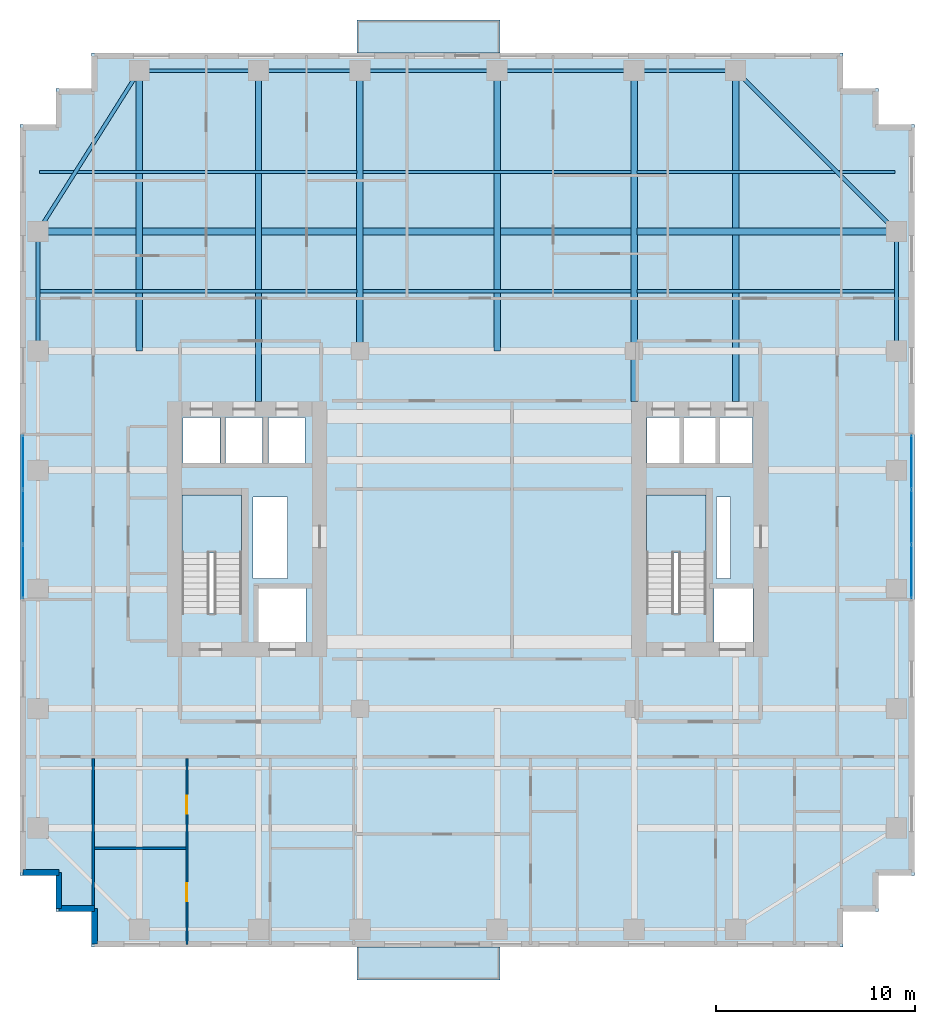
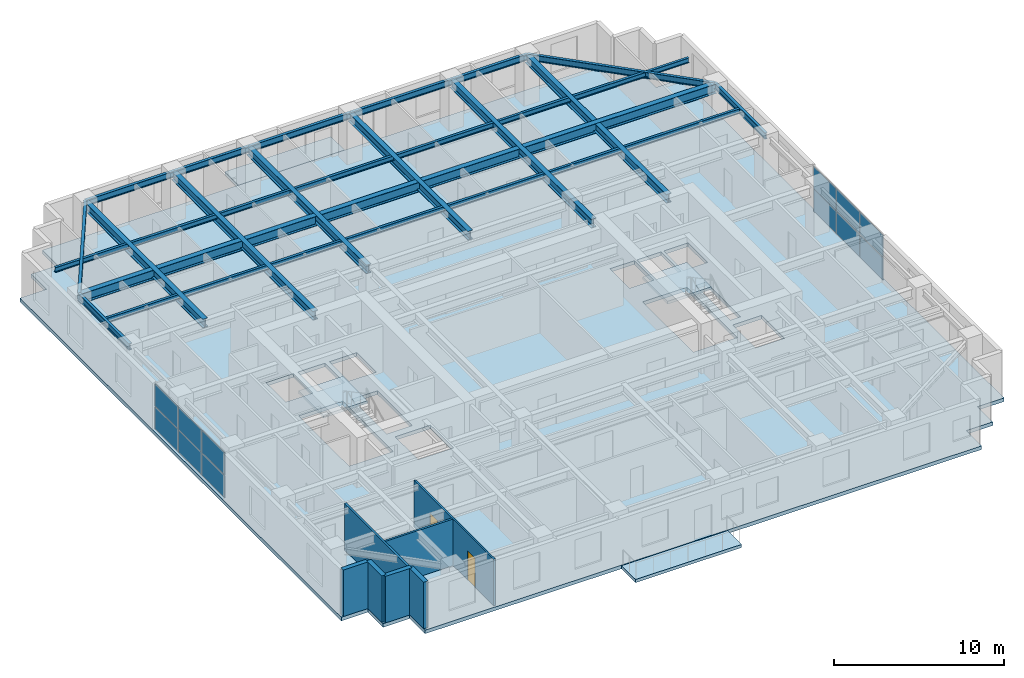
# One storey, part 6 of 13: 24 beams, 12 plates, 7 walls, 5 slabs, 2 doors, 2 openings, 4 elements without a shape of their own.
"""IFC4 building model written with IfcOpenShell, lengths in metres."""

from ifc_helpers import new_model, si_unit, direction, frame, frame_2d, origin, origin_2d, place, context, subcontext, project, spatial, polyline, rectangle, i_section, outline, extrude, source, transform, mapped, material, layer, layer_set, material_profile, profile_set, type_object, element, fill, aggregate, save


model = new_model("IFC4")

# Units and contexts
model_context = context("Model", 3, precision=1e-05, world=origin(), true_north=direction((0.0, 1.0)))
body_context = subcontext(model_context, "Body", "Model", "MODEL_VIEW")
ifc_project = project(units=[si_unit("LENGTHUNIT", "METRE"), si_unit("AREAUNIT", "SQUARE_METRE"), si_unit("VOLUMEUNIT", "CUBIC_METRE"), si_unit("PLANEANGLEUNIT", "RADIAN"), si_unit("MASSUNIT", "GRAM", prefix="KILO")], contexts=[model_context])

# Site, building, storey
site_placement = place(None, origin())
site = spatial("IfcSite", under=ifc_project, at=site_placement, CompositionType="ELEMENT")
building_placement = place(site_placement, origin())
building = spatial("IfcBuilding", under=site, at=building_placement, Name="Khoralis Quay Care Tower", CompositionType="ELEMENT")
storey_placement = place(building_placement, frame((0.0, 0.0, 87.300048828125)))
storey = spatial("IfcBuildingStorey", under=building, at=storey_placement, Name="L22", CompositionType="ELEMENT", Elevation=87.300048828125)

# Beams
ifc_material_1 = material(Name="Steel S355", Category="steel")
ifc_material_profile_1 = material_profile(ifc_material_1, i_section(OverallWidth=0.18994140625, OverallDepth=0.449951171875, WebThickness=0.009521484375, FlangeThickness=0.0146484375, FilletRadius=0.02099609375, at=origin_2d()), Name="Steel S355")
ifc_profile_set_1 = profile_set([ifc_material_profile_1], Name="Steel S355")
beam_type_1 = type_object("IfcBeamType", Name="BM-IPE450", PredefinedType="SPANDREL", material=ifc_profile_set_1)
shared_shape_1 = source(origin(), body_context, "Body", "SweptSolid", [
    extrude(i_section(OverallWidth=0.18994140625, OverallDepth=0.449951171875, WebThickness=0.009521484375, FlangeThickness=0.0146484375, FilletRadius=0.02099609375, at=origin_2d()), origin(), (0.0, 0.0, 1.0), 6.0),
])
for number, where, z_axis, x_axis, name in (
    (1, (6.0, 44.10009765625, 3.114990234375), (1.0, 0.0, 0.0), (0.0, 1.0, 0.0), "BM-TSP-L22-06"),
    (2, (0.89990234375, 30.0, 3.114990234375), (0.0, 1.0, 0.0), (-1.0, 0.0, 0.0), "BM-TSP-L22-15"),
    (3, (44.10009765625, 30.0, 3.114990234375), (0.0, 1.0, 0.0), (-1.0, 0.0, 0.0), "BM-TSP-L22-20"),
):
    element("IfcBeam", number, at=place(storey_placement, frame(where, z_axis=z_axis, x_axis=x_axis)), inside=storey, type_object=beam_type_1, Name=name, PredefinedType="SPANDREL", context=body_context, shape_type="MappedRepresentation", body=[
        mapped(shared_shape_1, transform((0.0, 0.0, 0.0), scale=1.0)),
    ])
shared_shape_2 = source(origin(), body_context, "Body", "SweptSolid", [
    extrude(i_section(OverallWidth=0.18994140625, OverallDepth=0.449951171875, WebThickness=0.009521484375, FlangeThickness=0.0146484375, FilletRadius=0.02099609375, at=origin_2d()), origin(), (0.0, 0.0, 1.0), 5.10009765625),
])
for number, where, z_axis, x_axis, name in (
    (4, (12.0, 44.10009765625, 3.114990234375), (1.0, 0.0, 0.0), (0.0, 1.0, 0.0), "BM-TSP-L22-07"),
    (5, (30.89990234375, 44.10009765625, 3.114990234375), (1.0, 0.0, 0.0), (0.0, 1.0, 0.0), "BM-TSP-L22-10"),
):
    element("IfcBeam", number, at=place(storey_placement, frame(where, z_axis=z_axis, x_axis=x_axis)), inside=storey, type_object=beam_type_1, Name=name, PredefinedType="SPANDREL", context=body_context, shape_type="MappedRepresentation", body=[
        mapped(shared_shape_2, transform((0.0, 0.0, 0.0), scale=1.0)),
    ])
shared_shape_3 = source(origin(), body_context, "Body", "SweptSolid", [
    extrude(i_section(OverallWidth=0.18994140625, OverallDepth=0.449951171875, WebThickness=0.009521484375, FlangeThickness=0.0146484375, FilletRadius=0.02099609375, at=origin_2d()), origin(), (0.0, 0.0, 1.0), 6.89990234375),
])
for number, where, z_axis, x_axis, name in (
    (6, (17.10009765625, 44.10009765625, 3.114990234375), (1.0, 0.0, 0.0), (0.0, 1.0, 0.0), "BM-TSP-L22-08"),
    (7, (24.0, 44.10009765625, 3.114990234375), (1.0, 0.0, 0.0), (0.0, 1.0, 0.0), "BM-TSP-L22-09"),
):
    element("IfcBeam", number, at=place(storey_placement, frame(where, z_axis=z_axis, x_axis=x_axis)), inside=storey, type_object=beam_type_1, Name=name, PredefinedType="SPANDREL", context=body_context, shape_type="MappedRepresentation", body=[
        mapped(shared_shape_3, transform((0.0, 0.0, 0.0), scale=1.0)),
    ])
ifc_material_profile_2 = material_profile(ifc_material_1, i_section(OverallWidth=0.35498046875, OverallDepth=0.695068359375, WebThickness=0.015380859375, FlangeThickness=0.02490234375, FilletRadius=0.02001953125, at=origin_2d()), Name="Steel S355")
ifc_profile_set_2 = profile_set([ifc_material_profile_2], Name="Steel S355")
beam_type_2 = type_object("IfcBeamType", Name="BM-W690X217", PredefinedType="BEAM", material=ifc_profile_set_2)
shared_shape_4 = source(origin(), body_context, "Body", "SweptSolid", [
    extrude(i_section(OverallWidth=0.35498046875, OverallDepth=0.695068359375, WebThickness=0.015380859375, FlangeThickness=0.02490234375, FilletRadius=0.02001953125, at=origin_2d()), origin(), (0.0, 0.0, 1.0), 16.049560546875),
])
beam_1_placement = place(storey_placement, frame((0.89990234375, 36.0, 2.992431640625), z_axis=(1.0, 0.0, 0.0), x_axis=(0.0, 1.0, 0.0)))
element("IfcBeam", 8, at=beam_1_placement, inside=storey, type_object=beam_type_2, Name="BM-TGXW-L22-360", PredefinedType="BEAM", context=body_context, shape_type="MappedRepresentation", body=[
    mapped(shared_shape_4, transform((0.0, 0.0, 0.0), scale=1.0)),
])
shared_shape_5 = source(origin(), body_context, "Body", "SweptSolid", [
    extrude(i_section(OverallWidth=0.35498046875, OverallDepth=0.695068359375, WebThickness=0.015380859375, FlangeThickness=0.02490234375, FilletRadius=0.02001953125, at=origin_2d()), origin(), (0.0, 0.0, 1.0), 13.4990234375),
])
beam_2_placement = place(storey_placement, frame((17.25048828125, 36.0, 2.992431640625), z_axis=(1.0, 0.0, 0.0), x_axis=(0.0, 1.0, 0.0)))
element("IfcBeam", 9, at=beam_2_placement, inside=storey, type_object=beam_type_2, Name="BM-TGCC-L22-360", PredefinedType="BEAM", context=body_context, shape_type="MappedRepresentation", body=[
    mapped(shared_shape_5, transform((0.0, 0.0, 0.0), scale=1.0)),
])
ifc_material_profile_3 = material_profile(ifc_material_1, i_section(OverallWidth=0.1708984375, OverallDepth=0.35498046875, WebThickness=0.007080078125, FlangeThickness=0.01171875, FilletRadius=0.012939453125, at=origin_2d()), Name="Steel S355")
ifc_profile_set_3 = profile_set([ifc_material_profile_3], Name="Steel S355")
beam_type_3 = type_object("IfcBeamType", Name="BM-W360X51", PredefinedType="JOIST", material=ifc_profile_set_3)
shared_shape_6 = source(origin(), body_context, "Body", "SweptSolid", [
    extrude(i_section(OverallWidth=0.1708984375, OverallDepth=0.35498046875, WebThickness=0.007080078125, FlangeThickness=0.01171875, FilletRadius=0.012939453125, at=origin_2d()), origin(), (0.0, 0.0, 1.0), 15.968505859375),
])
for number, where, z_axis, x_axis, name in (
    (10, (0.98095703125, 33.0, 3.162353515625), (1.0, 0.0, 0.0), (0.0, 1.0, 0.0), "BM-TJS-L22-28"),
    (11, (0.98095703125, 39.0, 3.162353515625), (1.0, 0.0, 0.0), (0.0, 1.0, 0.0), "BM-TJS-L22-31"),
):
    element("IfcBeam", number, at=place(storey_placement, frame(where, z_axis=z_axis, x_axis=x_axis)), inside=storey, type_object=beam_type_3, Name=name, PredefinedType="JOIST", context=body_context, shape_type="MappedRepresentation", body=[
        mapped(shared_shape_6, transform((0.0, 0.0, 0.0), scale=1.0)),
    ])
shared_shape_7 = source(origin(), body_context, "Body", "SweptSolid", [
    extrude(i_section(OverallWidth=0.1708984375, OverallDepth=0.35498046875, WebThickness=0.007080078125, FlangeThickness=0.01171875, FilletRadius=0.012939453125, at=origin_2d()), origin(), (0.0, 0.0, 1.0), 13.4990234375),
])
for number, where, z_axis, x_axis, name in (
    (12, (17.25048828125, 33.0, 3.162353515625), (1.0, 0.0, 0.0), (0.0, 1.0, 0.0), "BM-TJS-L22-30"),
    (13, (17.25048828125, 39.0, 3.162353515625), (1.0, 0.0, 0.0), (0.0, 1.0, 0.0), "BM-TJS-L22-33"),
):
    element("IfcBeam", number, at=place(storey_placement, frame(where, z_axis=z_axis, x_axis=x_axis)), inside=storey, type_object=beam_type_3, Name=name, PredefinedType="JOIST", context=body_context, shape_type="MappedRepresentation", body=[
        mapped(shared_shape_7, transform((0.0, 0.0, 0.0), scale=1.0)),
    ])
shared_shape_8 = source(origin(), body_context, "Body", "SweptSolid", [
    extrude(i_section(OverallWidth=0.18994140625, OverallDepth=0.449951171875, WebThickness=0.009521484375, FlangeThickness=0.0146484375, FilletRadius=0.02099609375, at=origin_2d()), origin(), (0.0, 0.0, 1.0), 9.572021484375),
])
beam_3_placement = place(storey_placement, frame((6.0, 44.10009765625, 3.114990234375), z_axis=(-0.532815975602, -0.846231136359, 0.0), x_axis=(0.846231136359, -0.532815975602, 0.0)))
element("IfcBeam", 14, at=beam_3_placement, inside=storey, type_object=beam_type_1, Name="BM-TCR-L22-23", PredefinedType="SPANDREL", context=body_context, shape_type="MappedRepresentation", body=[
    mapped(shared_shape_8, transform((0.0, 0.0, 0.0), scale=1.0)),
])
shared_shape_9 = source(origin(), body_context, "Body", "SweptSolid", [
    extrude(i_section(OverallWidth=0.18994140625, OverallDepth=0.449951171875, WebThickness=0.009521484375, FlangeThickness=0.0146484375, FilletRadius=0.02099609375, at=origin_2d()), origin(), (0.0, 0.0, 1.0), 11.455322265625),
])
beam_4_placement = place(storey_placement, frame((36.0, 44.10009765625, 3.114990234375), z_axis=(0.707106781187, -0.707106781187, 0.0), x_axis=(0.707106781187, 0.707106781187, 0.0)))
element("IfcBeam", 15, at=beam_4_placement, inside=storey, type_object=beam_type_1, Name="BM-TCR-L22-24", PredefinedType="SPANDREL", context=body_context, shape_type="MappedRepresentation", body=[
    mapped(shared_shape_9, transform((0.0, 0.0, 0.0), scale=1.0)),
])
shared_shape_10 = source(origin(), body_context, "Body", "SweptSolid", [
    extrude(i_section(OverallWidth=0.35498046875, OverallDepth=0.695068359375, WebThickness=0.015380859375, FlangeThickness=0.02490234375, FilletRadius=0.02001953125, at=origin_2d()), origin(), (0.0, 0.0, 1.0), 13.049560546875),
])
beam_5_placement = place(storey_placement, frame((31.050537109375, 36.0, 2.992431640625), z_axis=(1.0, 0.0, 0.0), x_axis=(0.0, 1.0, 0.0)))
element("IfcBeam", 16, at=beam_5_placement, inside=storey, type_object=beam_type_2, Name="BM-TGXE-L22-360", PredefinedType="BEAM", context=body_context, shape_type="MappedRepresentation", body=[
    mapped(shared_shape_10, transform((0.0, 0.0, 0.0), scale=1.0)),
])
ifc_material_profile_4 = material_profile(ifc_material_1, i_section(OverallWidth=0.324951171875, OverallDepth=0.615966796875, WebThickness=0.013916015625, FlangeThickness=0.021484375, FilletRadius=0.01806640625, at=origin_2d()), Name="Steel S355")
ifc_profile_set_4 = profile_set([ifc_material_profile_4], Name="Steel S355")
beam_type_4 = type_object("IfcBeamType", Name="BM-W610X174", PredefinedType="BEAM", material=ifc_profile_set_4)
shared_shape_11 = source(origin(), body_context, "Body", "SweptSolid", [
    extrude(i_section(OverallWidth=0.324951171875, OverallDepth=0.615966796875, WebThickness=0.013916015625, FlangeThickness=0.021484375, FilletRadius=0.01806640625, at=origin_2d()), origin(), (0.0, 0.0, 1.0), 14.10009765625),
])
for number, where, z_axis, x_axis, name in (
    (17, (6.0, 30.0, 3.031982421875), (0.0, 1.0, 0.0), (-1.0, 0.0, 0.0), "BM-TGYN-L22-60"),
    (18, (17.10009765625, 30.0, 3.031982421875), (0.0, 1.0, 0.0), (-1.0, 0.0, 0.0), "BM-TGYN-L22-171"),
    (19, (24.0, 30.0, 3.031982421875), (0.0, 1.0, 0.0), (-1.0, 0.0, 0.0), "BM-TGYN-L22-240"),
):
    element("IfcBeam", number, at=place(storey_placement, frame(where, z_axis=z_axis, x_axis=x_axis)), inside=storey, type_object=beam_type_4, Name=name, PredefinedType="BEAM", context=body_context, shape_type="MappedRepresentation", body=[
        mapped(shared_shape_11, transform((0.0, 0.0, 0.0), scale=1.0)),
    ])
shared_shape_12 = source(origin(), body_context, "Body", "SweptSolid", [
    extrude(i_section(OverallWidth=0.324951171875, OverallDepth=0.615966796875, WebThickness=0.013916015625, FlangeThickness=0.021484375, FilletRadius=0.01806640625, at=origin_2d()), origin(), (0.0, 0.0, 1.0), 16.652099609375),
])
for number, where, z_axis, x_axis, name in (
    (20, (12.0, 27.447998046875, 3.031982421875), (0.0, 1.0, 0.0), (-1.0, 0.0, 0.0), "BM-TGYN-L22-120"),
    (21, (30.89990234375, 27.447998046875, 3.031982421875), (0.0, 1.0, 0.0), (-1.0, 0.0, 0.0), "BM-TGYN-L22-309"),
    (22, (36.0, 27.447998046875, 3.031982421875), (0.0, 1.0, 0.0), (-1.0, 0.0, 0.0), "BM-TGYN-L22-360"),
):
    element("IfcBeam", number, at=place(storey_placement, frame(where, z_axis=z_axis, x_axis=x_axis)), inside=storey, type_object=beam_type_4, Name=name, PredefinedType="BEAM", context=body_context, shape_type="MappedRepresentation", body=[
        mapped(shared_shape_12, transform((0.0, 0.0, 0.0), scale=1.0)),
    ])
shared_shape_13 = source(origin(), body_context, "Body", "SweptSolid", [
    extrude(i_section(OverallWidth=0.1708984375, OverallDepth=0.35498046875, WebThickness=0.007080078125, FlangeThickness=0.01171875, FilletRadius=0.012939453125, at=origin_2d()), origin(), (0.0, 0.0, 1.0), 12.968505859375),
])
for number, where, z_axis, x_axis, name in (
    (23, (31.050537109375, 33.0, 3.162353515625), (1.0, 0.0, 0.0), (0.0, 1.0, 0.0), "BM-TJS-L22-29"),
    (24, (31.050537109375, 39.0, 3.162353515625), (1.0, 0.0, 0.0), (0.0, 1.0, 0.0), "BM-TJS-L22-32"),
):
    element("IfcBeam", number, at=place(storey_placement, frame(where, z_axis=z_axis, x_axis=x_axis)), inside=storey, type_object=beam_type_3, Name=name, PredefinedType="JOIST", context=body_context, shape_type="MappedRepresentation", body=[
        mapped(shared_shape_13, transform((0.0, 0.0, 0.0), scale=1.0)),
    ])

# Slabs
ifc_material_2 = material(Name="Concrete C45/55", Category="concrete")
ifc_layer_1 = layer(ifc_material_2, 0.219970703125)
ifc_layer_set_1 = layer_set([ifc_layer_1], Name="Concrete C45/55")
slab_type_1 = type_object("IfcSlabType", Name="SLB-EXT-BALC-220", PredefinedType="FLOOR", material=ifc_layer_set_1)
slab_1_placement = place(storey_placement, frame((0.0, 0.0, -0.260009765625)))
element("IfcSlab", 25, at=slab_1_placement, inside=storey, type_object=slab_type_1, Name="L22 Senior Loggia Balcony Slab P1E0", PredefinedType="FLOOR", context=body_context, shape_type="SweptSolid", body=[
    extrude(outline(polyline([(16.949951171875, -1.64990234375), (24.14990234375, -1.64990234375), (24.14990234375, 0.0), (16.949951171875, 0.0), (16.949951171875, -1.64990234375)])), origin(), (0.0, 0.0, 1.0), 0.219970703125),
])
slab_2_placement = place(storey_placement, frame((0.0, 0.0, -0.260009765625)))
element("IfcSlab", 26, at=slab_2_placement, inside=storey, type_object=slab_type_1, Name="L22 Senior Loggia Balcony Slab P1E10", PredefinedType="FLOOR", context=body_context, shape_type="SweptSolid", body=[
    extrude(outline(polyline([(16.949951171875, 45.0), (24.14990234375, 45.0), (24.14990234375, 46.64990234375), (16.949951171875, 46.64990234375), (16.949951171875, 45.0)])), origin(), (0.0, 0.0, 1.0), 0.219970703125),
])

# Stair, slab
ifc_material_3 = material(Name="Precast concrete C45/55", Category="concrete")
stair_type = type_object("IfcStairType", Name="ST-TWR-DOGLEG-1400", PredefinedType="HALF_TURN_STAIR", material=ifc_material_3)
stair_1_placement = place(storey_placement, origin())
stair_1 = element("IfcStair", 27, at=stair_1_placement, inside=storey, type_object=stair_type, Name="L22 West Core Exit Stair ST-T1", PredefinedType="HALF_TURN_STAIR")
ifc_layer_2 = layer(ifc_material_3, 0.199951171875)
ifc_layer_set_2 = layer_set([ifc_layer_2], Name="Precast concrete C45/55")
slab_type_2 = type_object("IfcSlabType", Name="SLB-LANDING-200", PredefinedType="LANDING", material=ifc_layer_set_2)
slab_3_placement = place(storey_placement, frame((0.0, 0.0, 1.599853515625)))
slab_3 = element("IfcSlab", 28, at=slab_3_placement, type_object=slab_type_2, Name="ST-T1 landing 1", PredefinedType="LANDING", context=body_context, shape_type="SweptSolid", body=[
    extrude(outline(polyline([(11.14990234375, 19.840087890625), (11.14990234375, 22.75), (8.14990234375, 22.75), (8.14990234375, 19.840087890625), (11.14990234375, 19.840087890625)])), origin(), (0.0, 0.0, 1.0), 0.2001953125),
])
aggregate(stair_1, [slab_3])

stair_2_placement = place(storey_placement, origin())
stair_2 = element("IfcStair", 29, at=stair_2_placement, inside=storey, type_object=stair_type, Name="L22 East Core Exit Stair ST-T2", PredefinedType="HALF_TURN_STAIR")
slab_4_placement = place(storey_placement, frame((0.0, 0.0, 1.599853515625)))
slab_4 = element("IfcSlab", 30, at=slab_4_placement, type_object=slab_type_2, Name="ST-T2 landing 1", PredefinedType="LANDING", context=body_context, shape_type="SweptSolid", body=[
    extrude(outline(polyline([(34.52001953125, 19.840087890625), (34.52001953125, 22.75), (31.52001953125, 22.75), (31.52001953125, 19.840087890625), (34.52001953125, 19.840087890625)])), origin(), (0.0, 0.0, 1.0), 0.2001953125),
])
aggregate(stair_2, [slab_4])

# Slab
ifc_material_4 = material(Name="Concrete C40/50", Category="concrete")
ifc_layer_3 = layer(ifc_material_4, 0.260009765625)
ifc_layer_set_3 = layer_set([ifc_layer_3], Name="Concrete C40/50")
slab_type_3 = type_object("IfcSlabType", Name="SLB-TWR-260", PredefinedType="FLOOR", material=ifc_layer_set_3)
slab_5_placement = place(storey_placement, frame((0.0, 0.0, -0.260009765625)))
element("IfcSlab", 31, at=slab_5_placement, inside=storey, type_object=slab_type_3, Name="Tower Floor Slab L22", PredefinedType="FLOOR", context=body_context, shape_type="SweptSolid", body=[
    extrude(outline(polyline([(3.60009765625, 0.0), (41.39990234375, 0.0), (41.39990234375, 1.800048828125), (43.199951171875, 1.800048828125), (43.199951171875, 3.60009765625), (45.0, 3.60009765625), (45.0, 41.39990234375), (43.199951171875, 41.39990234375), (43.199951171875, 43.199951171875), (41.39990234375, 43.199951171875), (41.39990234375, 45.0), (3.60009765625, 45.0), (3.60009765625, 43.199951171875), (1.800048828125, 43.199951171875), (1.800048828125, 41.39990234375), (0.0, 41.39990234375), (0.0, 3.60009765625), (1.800048828125, 3.60009765625), (1.800048828125, 1.800048828125), (3.60009765625, 1.800048828125), (3.60009765625, 0.0)]), holes=[polyline([(11.14990234375, 16.800048828125), (11.14990234375, 22.75), (8.14990234375, 22.75), (8.14990234375, 16.800048828125), (11.14990234375, 16.800048828125)]), polyline([(34.52001953125, 16.800048828125), (34.52001953125, 22.75), (31.52001953125, 22.75), (31.52001953125, 16.800048828125), (34.52001953125, 16.800048828125)]), polyline([(12.0, 15.35009765625), (14.39990234375, 15.35009765625), (14.39990234375, 18.050048828125), (12.0, 18.050048828125), (12.0, 15.35009765625)]), polyline([(34.919921875, 15.35009765625), (36.8798828125, 15.35009765625), (36.8798828125, 18.050048828125), (34.919921875, 18.050048828125), (34.919921875, 15.35009765625)]), polyline([(8.199951171875, 24.35009765625), (10.050048828125, 24.35009765625), (10.050048828125, 26.64990234375), (8.199951171875, 26.64990234375), (8.199951171875, 24.35009765625)]), polyline([(31.550048828125, 24.35009765625), (33.199951171875, 24.35009765625), (33.199951171875, 26.64990234375), (31.550048828125, 26.64990234375), (31.550048828125, 24.35009765625)]), polyline([(10.35009765625, 24.35009765625), (12.199951171875, 24.35009765625), (12.199951171875, 26.64990234375), (10.35009765625, 26.64990234375), (10.35009765625, 24.35009765625)]), polyline([(33.3798828125, 24.35009765625), (35.030029296875, 24.35009765625), (35.030029296875, 26.64990234375), (33.3798828125, 26.64990234375), (33.3798828125, 24.35009765625)]), polyline([(12.5, 24.35009765625), (14.35009765625, 24.35009765625), (14.35009765625, 26.64990234375), (12.5, 26.64990234375), (12.5, 24.35009765625)]), polyline([(35.199951171875, 24.35009765625), (36.85009765625, 24.35009765625), (36.85009765625, 26.64990234375), (35.199951171875, 26.64990234375), (35.199951171875, 24.35009765625)]), polyline([(11.719970703125, 18.550048828125), (13.449951171875, 18.550048828125), (13.449951171875, 22.64990234375), (11.719970703125, 22.64990234375), (11.719970703125, 18.550048828125)]), polyline([(35.050048828125, 18.550048828125), (35.75, 18.550048828125), (35.75, 22.64990234375), (35.050048828125, 22.64990234375), (35.050048828125, 18.550048828125)])]), origin(), (0.0, 0.0, 1.0), 0.260009765625),
])

# Curtain wall, plates
ifc_material_5 = material(Name="Pale anodised aluminium", Category="aluminium")
ifc_layer_4 = layer(ifc_material_5, 0.169921875)
ifc_layer_set_4 = layer_set([ifc_layer_4], Name="Pale anodised aluminium")
curtain_wall_type = type_object("IfcCurtainWallType", Name="CW-SYS-Z2", PredefinedType="NOTDEFINED", material=ifc_layer_set_4)
curtain_wall_1_placement = place(storey_placement, origin())
curtain_wall_1 = element("IfcCurtainWall", 32, at=curtain_wall_1_placement, inside=storey, type_object=curtain_wall_type, Name="L22 Unitised Curtain Wall CW-L22-P1-E5", PredefinedType="NOTDEFINED")
ifc_material_6 = material(Name="Low-E solar-control double glazing", Category="glass")
ifc_layer_5 = layer(ifc_material_6, 0.031982421875)
ifc_layer_set_5 = layer_set([ifc_layer_5], Name="Low-E solar-control double glazing")
plate_type = type_object("IfcPlateType", Name="PNL-VIS-32", PredefinedType="CURTAIN_PANEL", material=ifc_layer_set_5)
shared_shape_14 = source(origin(), body_context, "Body", "SweptSolid", [
    extrude(rectangle(XDim=2.6767578125, YDim=0.028076171875, at=origin_2d()), origin(), (0.0, 0.0, 1.0), 1.580078125),
])
plate_1_placement = place(storey_placement, frame((44.85009765625, 18.8984375, 0.059814453125), z_axis=(0.0, 0.0, 1.0), x_axis=(0.0, 1.0, 0.0)))
plate_1 = element("IfcPlate", 33, at=plate_1_placement, type_object=plate_type, Name="CW2 panel 1.1", PredefinedType="CURTAIN_PANEL", context=body_context, shape_type="MappedRepresentation", body=[
    mapped(shared_shape_14, transform((0.0, 0.0, 0.0), scale=1.0)),
])
plate_2_placement = place(storey_placement, frame((44.85009765625, 18.8984375, 1.699951171875), z_axis=(0.0, 0.0, 1.0), x_axis=(0.0, 1.0, 0.0)))
plate_2 = element("IfcPlate", 34, at=plate_2_placement, type_object=plate_type, Name="CW2 panel 1.2", PredefinedType="CURTAIN_PANEL", context=body_context, shape_type="MappedRepresentation", body=[
    mapped(shared_shape_14, transform((0.0, 0.0, 0.0), scale=1.0)),
])
plate_3_placement = place(storey_placement, frame((44.85009765625, 24.401611328125, 0.059814453125), z_axis=(0.0, 0.0, 1.0), x_axis=(0.0, 1.0, 0.0)))
plate_3 = element("IfcPlate", 35, at=plate_3_placement, type_object=plate_type, Name="CW2 panel 3.1", PredefinedType="CURTAIN_PANEL", context=body_context, shape_type="MappedRepresentation", body=[
    mapped(shared_shape_14, transform((0.0, 0.0, 0.0), scale=1.0)),
])
plate_4_placement = place(storey_placement, frame((44.85009765625, 24.401611328125, 1.699951171875), z_axis=(0.0, 0.0, 1.0), x_axis=(0.0, 1.0, 0.0)))
plate_4 = element("IfcPlate", 36, at=plate_4_placement, type_object=plate_type, Name="CW2 panel 3.2", PredefinedType="CURTAIN_PANEL", context=body_context, shape_type="MappedRepresentation", body=[
    mapped(shared_shape_14, transform((0.0, 0.0, 0.0), scale=1.0)),
])

curtain_wall_2_placement = place(storey_placement, origin())
curtain_wall_2 = element("IfcCurtainWall", 37, at=curtain_wall_2_placement, inside=storey, type_object=curtain_wall_type, Name="L22 Unitised Curtain Wall CW-L22-P1-E15", PredefinedType="NOTDEFINED")
plate_5_placement = place(storey_placement, frame((0.14990234375, 24.401611328125, 0.059814453125), z_axis=(0.0, 0.0, 1.0), x_axis=(0.0, -1.0, 0.0)))
plate_5 = element("IfcPlate", 38, at=plate_5_placement, type_object=plate_type, Name="CW2 panel 1.1", PredefinedType="CURTAIN_PANEL", context=body_context, shape_type="MappedRepresentation", body=[
    mapped(shared_shape_14, transform((0.0, 0.0, 0.0), scale=1.0)),
])
plate_6_placement = place(storey_placement, frame((0.14990234375, 24.401611328125, 1.699951171875), z_axis=(0.0, 0.0, 1.0), x_axis=(0.0, -1.0, 0.0)))
plate_6 = element("IfcPlate", 39, at=plate_6_placement, type_object=plate_type, Name="CW2 panel 1.2", PredefinedType="CURTAIN_PANEL", context=body_context, shape_type="MappedRepresentation", body=[
    mapped(shared_shape_14, transform((0.0, 0.0, 0.0), scale=1.0)),
])
plate_7_placement = place(storey_placement, frame((0.14990234375, 18.8984375, 0.059814453125), z_axis=(0.0, 0.0, 1.0), x_axis=(0.0, -1.0, 0.0)))
plate_7 = element("IfcPlate", 40, at=plate_7_placement, type_object=plate_type, Name="CW2 panel 3.1", PredefinedType="CURTAIN_PANEL", context=body_context, shape_type="MappedRepresentation", body=[
    mapped(shared_shape_14, transform((0.0, 0.0, 0.0), scale=1.0)),
])
plate_8_placement = place(storey_placement, frame((0.14990234375, 18.8984375, 1.699951171875), z_axis=(0.0, 0.0, 1.0), x_axis=(0.0, -1.0, 0.0)))
plate_8 = element("IfcPlate", 41, at=plate_8_placement, type_object=plate_type, Name="CW2 panel 3.2", PredefinedType="CURTAIN_PANEL", context=body_context, shape_type="MappedRepresentation", body=[
    mapped(shared_shape_14, transform((0.0, 0.0, 0.0), scale=1.0)),
])

# Plate
shared_shape_15 = source(origin(), body_context, "Body", "SweptSolid", [
    extrude(rectangle(XDim=2.706787109375, YDim=0.028076171875, at=origin_2d()), origin(), (0.0, 0.0, 1.0), 1.580078125),
])
plate_9_placement = place(storey_placement, frame((44.85009765625, 21.64990234375, 0.059814453125), z_axis=(0.0, 0.0, 1.0), x_axis=(0.0, 1.0, 0.0)))
plate_9 = element("IfcPlate", 42, at=plate_9_placement, type_object=plate_type, Name="CW2 panel 2.1", PredefinedType="CURTAIN_PANEL", context=body_context, shape_type="MappedRepresentation", body=[
    mapped(shared_shape_15, transform((0.0, 0.0, 0.0), scale=1.0)),
])

plate_10_placement = place(storey_placement, frame((44.85009765625, 21.64990234375, 1.699951171875), z_axis=(0.0, 0.0, 1.0), x_axis=(0.0, 1.0, 0.0)))
plate_10 = element("IfcPlate", 43, at=plate_10_placement, type_object=plate_type, Name="CW2 panel 2.2", PredefinedType="CURTAIN_PANEL", context=body_context, shape_type="MappedRepresentation", body=[
    mapped(shared_shape_15, transform((0.0, 0.0, 0.0), scale=1.0)),
])

aggregate(curtain_wall_1, [plate_1, plate_2, plate_9, plate_10, plate_3, plate_4])

plate_11_placement = place(storey_placement, frame((0.14990234375, 21.64990234375, 0.059814453125), z_axis=(0.0, 0.0, 1.0), x_axis=(0.0, -1.0, 0.0)))
plate_11 = element("IfcPlate", 44, at=plate_11_placement, type_object=plate_type, Name="CW2 panel 2.1", PredefinedType="CURTAIN_PANEL", context=body_context, shape_type="MappedRepresentation", body=[
    mapped(shared_shape_15, transform((0.0, 0.0, 0.0), scale=1.0)),
])

plate_12_placement = place(storey_placement, frame((0.14990234375, 21.64990234375, 1.699951171875), z_axis=(0.0, 0.0, 1.0), x_axis=(0.0, -1.0, 0.0)))
plate_12 = element("IfcPlate", 45, at=plate_12_placement, type_object=plate_type, Name="CW2 panel 2.2", PredefinedType="CURTAIN_PANEL", context=body_context, shape_type="MappedRepresentation", body=[
    mapped(shared_shape_15, transform((0.0, 0.0, 0.0), scale=1.0)),
])

aggregate(curtain_wall_2, [plate_5, plate_6, plate_11, plate_12, plate_7, plate_8])

# Walls
ifc_layer_6 = layer(ifc_material_3, 0.300048828125)
ifc_layer_set_6 = layer_set([ifc_layer_6], Name="Precast concrete C45/55")
wall_type_1 = type_object("IfcWallType", Name="WL-EXT-REF-300", PredefinedType="SOLIDWALL", material=ifc_layer_set_6)
for number, where, z_axis, x_axis, name in (
    (46, (0.14990234375, 3.75, 0.0), (0.0, 0.0, 1.0), (1.0, 0.0, 0.0), "L22 External Facade Wall WL-EXT-L22-P1-C16"),
    (47, (1.949951171875, 3.75, 0.0), (0.0, 0.0, 1.0), (0.0, -1.0, 0.0), "L22 External Facade Wall WL-EXT-L22-P1-C17"),
    (48, (1.949951171875, 1.949951171875, 0.0), (0.0, 0.0, 1.0), (1.0, 0.0, 0.0), "L22 External Facade Wall WL-EXT-L22-P1-C18"),
    (49, (3.75, 1.949951171875, 0.0), (0.0, 0.0, 1.0), (0.0, -1.0, 0.0), "L22 External Facade Wall WL-EXT-L22-P1-C19"),
):
    element("IfcWall", number, at=place(storey_placement, frame(where, z_axis=z_axis, x_axis=x_axis)), inside=storey, type_object=wall_type_1, Name=name, PredefinedType="SOLIDWALL", context=body_context, shape_type="SweptSolid", body=[
        extrude(rectangle(XDim=1.800048828125, YDim=0.300048828125, at=frame_2d((0.89990234375, 0.0))), origin(), (0.0, 0.0, 1.0), 3.33984375),
    ])

# Wall, openings, doors
ifc_material_7 = material(Name="Gypsum plasterboard on acoustic metal stud")
ifc_layer_7 = layer(ifc_material_7, 0.114990234375)
ifc_layer_set_7 = layer_set([ifc_layer_7], Name="Gypsum plasterboard on acoustic metal stud")
wall_type_2 = type_object("IfcWallType", Name="WL-PART-115", PredefinedType="PARTITIONING", material=ifc_layer_set_7)
wall_1_placement = place(storey_placement, frame((8.39990234375, 0.14501953125, 0.0), z_axis=(0.0, 0.0, 1.0), x_axis=(0.0, 1.0, 0.0)))
wall_1 = element("IfcWall", 50, at=wall_1_placement, inside=storey, type_object=wall_type_2, Name="L22 2BR 0 Left Wall", PredefinedType="PARTITIONING", context=body_context, shape_type="SweptSolid", body=[
    extrude(rectangle(XDim=9.357421875, YDim=0.114990234375, at=frame_2d((4.6787109375, 0.0))), origin(), (0.0, 0.0, 1.0), 3.33984375),
])
opening_1_placement = place(wall_1_placement, frame((2.1708984375, 0.0, 0.0)))
opening_1 = element("IfcOpeningElement", 51, at=opening_1_placement, cuts=wall_1, Name="Opening WD1", PredefinedType="OPENING", context=body_context, shape_type="SweptSolid", body=[
    extrude(rectangle(XDim=0.89990234375, YDim=2.10009765625, at=frame_2d((0.449951171875, 1.050048828125))), frame((0.0, 0.0673828125, 0.0), z_axis=(0.0, -1.0, 0.0), x_axis=(1.0, 0.0, 0.0)), (0.0, 0.0, 1.0), 0.135009765625),
])
opening_2_placement = place(wall_1_placement, frame((6.571044921875, 0.0, 0.0)))
opening_2 = element("IfcOpeningElement", 52, at=opening_2_placement, cuts=wall_1, Name="Opening WD1", PredefinedType="OPENING", context=body_context, shape_type="SweptSolid", body=[
    extrude(rectangle(XDim=0.89990234375, YDim=2.10009765625, at=frame_2d((0.449951171875, 1.050048828125))), frame((0.0, 0.0673828125, 0.0), z_axis=(0.0, -1.0, 0.0), x_axis=(1.0, 0.0, 0.0)), (0.0, 0.0, 1.0), 0.135009765625),
])
ifc_material_8 = material(Name="Acoustic hardwood timber", Category="wood")
door_type = type_object("IfcDoorType", Name="DR-BATH-900X2100", OperationType="NOTDEFINED", PredefinedType="DOOR", material=ifc_material_8)
shared_shape_16 = source(origin(), body_context, "Body", "SweptSolid", [
    extrude(rectangle(XDim=0.89990234375, YDim=2.10009765625, at=frame_2d((0.449951171875, 1.050048828125))), frame((0.0, 0.02490234375, 0.0), z_axis=(0.0, -1.0, 0.0), x_axis=(1.0, 0.0, 0.0)), (0.0, 0.0, 1.0), 0.050048828125),
])
door_1_placement = place(opening_1_placement, origin())
door_1 = element("IfcDoor", 53, at=door_1_placement, inside=storey, type_object=door_type, Name="L22 2BR BD1 Door", OperationType="SINGLE_SWING_LEFT", OverallHeight=2.10009765625, OverallWidth=0.89990234375, PredefinedType="DOOR", context=body_context, shape_type="MappedRepresentation", body=[
    mapped(shared_shape_16, transform((0.0, 0.0, 0.0), scale=1.0)),
])
fill(opening_1, door_1)
door_2_placement = place(opening_2_placement, origin())
door_2 = element("IfcDoor", 54, at=door_2_placement, inside=storey, type_object=door_type, Name="L22 2BR BTH Door", OperationType="SINGLE_SWING_RIGHT", OverallHeight=2.10009765625, OverallWidth=0.89990234375, PredefinedType="DOOR", context=body_context, shape_type="MappedRepresentation", body=[
    mapped(shared_shape_16, transform((0.0, 0.0, 0.0), scale=1.0)),
])
fill(opening_2, door_2)

# Walls
ifc_material_9 = material(Name="Moisture-resistant gypsum and ceramic tile")
ifc_layer_8 = layer(ifc_material_9, 0.280029296875)
ifc_layer_set_8 = layer_set([ifc_layer_8], Name="Moisture-resistant gypsum and ceramic tile")
wall_type_3 = type_object("IfcWallType", Name="WL-PLUMB-280", PredefinedType="PLUMBINGWALL", material=ifc_layer_set_8)
wall_2_placement = place(storey_placement, frame((3.7451171875, 4.98193359375, 0.0), z_axis=(0.0, 0.0, 1.0), x_axis=(1.0, 0.0, 0.0)))
element("IfcWall", 55, at=wall_2_placement, inside=storey, type_object=wall_type_3, Name="L22 2BR 0 Left Split", PredefinedType="PLUMBINGWALL", context=body_context, shape_type="SweptSolid", body=[
    extrude(rectangle(XDim=4.602294921875, YDim=0.139892578125, at=frame_2d((2.30126953125, 0.0))), origin(), (0.0, 0.0, 1.0), 3.33984375),
])
ifc_layer_9 = layer(ifc_material_7, 0.139892578125)
ifc_layer_set_9 = layer_set([ifc_layer_9], Name="Gypsum plasterboard on acoustic metal stud")
wall_type_4 = type_object("IfcWallType", Name="WL-UNIT-140", PredefinedType="PARTITIONING", material=ifc_layer_set_9)
wall_3_placement = place(storey_placement, frame((3.679931640625, 1.945068359375, 0.0), z_axis=(0.0, 0.0, 1.0), x_axis=(0.0, 1.0, 0.0)))
element("IfcWall", 56, at=wall_3_placement, inside=storey, type_object=wall_type_4, Name="L22 SB Demising Wall 0", PredefinedType="PARTITIONING", context=body_context, shape_type="SweptSolid", body=[
    extrude(rectangle(XDim=7.557373046875, YDim=0.139892578125, at=frame_2d((3.77880859375, 0.0))), origin(), (0.0, 0.0, 1.0), 3.33984375),
])

save(model, "model.ifc")
